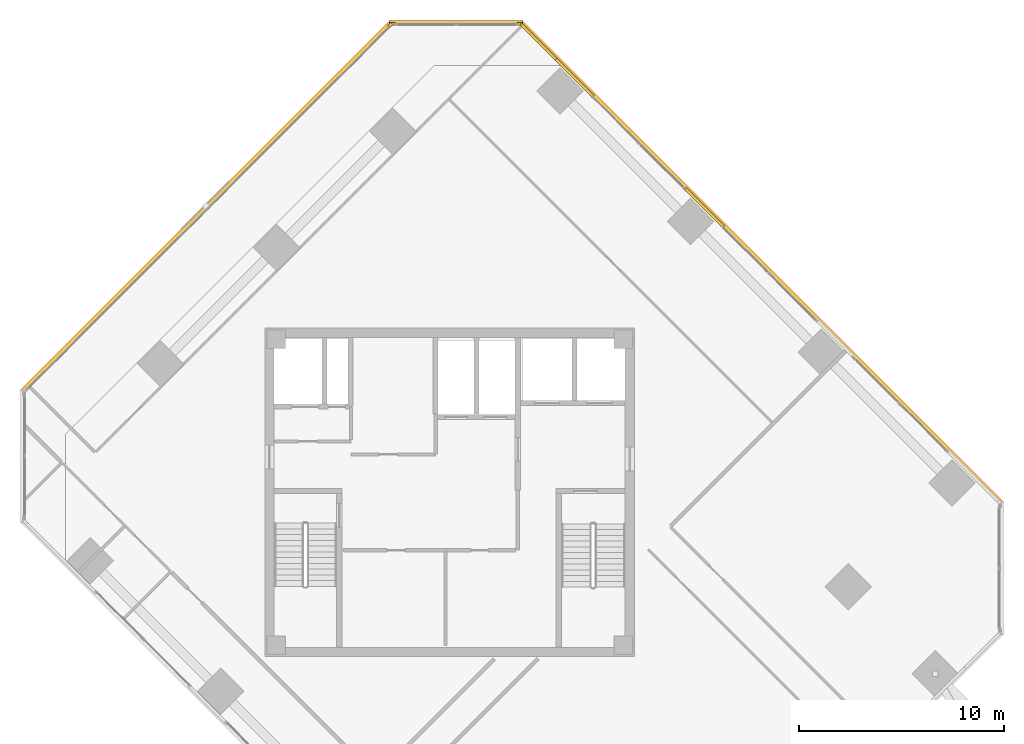
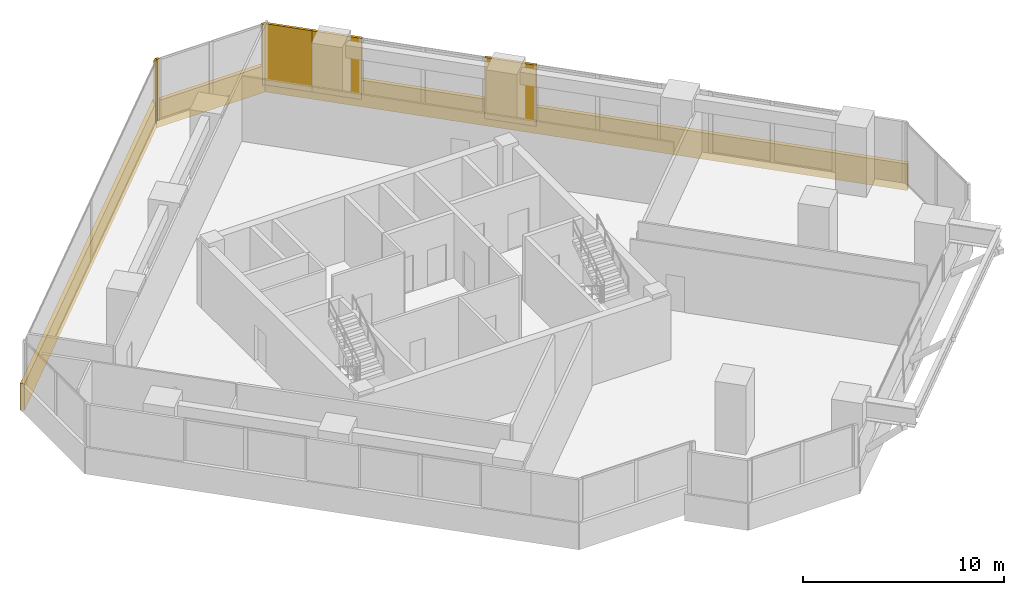
# One storey, part 17 of 17: 9 coverings.
"""IFC4 building model written with IfcOpenShell, lengths in metres."""

from ifc_helpers import new_model, si_unit, direction, frame, origin, origin_2d, place, context, subcontext, project, spatial, rectangle, extrude, source, transform, mapped, material, layer, layer_set, type_object, element, save


model = new_model("IFC4")

# Units and contexts
model_context = context("Model", 3, precision=1e-05, world=origin(), true_north=direction((0.0, 1.0)))
body_context = subcontext(model_context, "Body", "Model", "MODEL_VIEW")
ifc_project = project(units=[si_unit("LENGTHUNIT", "METRE"), si_unit("AREAUNIT", "SQUARE_METRE"), si_unit("VOLUMEUNIT", "CUBIC_METRE"), si_unit("PLANEANGLEUNIT", "RADIAN"), si_unit("MASSUNIT", "GRAM", prefix="KILO")], contexts=[model_context])

# Site, building, storey
site_placement = place(None, origin())
site = spatial("IfcSite", under=ifc_project, at=site_placement, CompositionType="ELEMENT")
building_placement = place(site_placement, origin())
building = spatial("IfcBuilding", under=site, at=building_placement, Name="Torre Montelarca", CompositionType="ELEMENT")
storey_placement = place(building_placement, frame((0.0, 0.0, 250.0)))
storey = spatial("IfcBuildingStorey", under=building, at=storey_placement, Name="L56", CompositionType="ELEMENT", Elevation=250.0)

# Coverings
ifc_material = material(Name="Bush-hammered warm white precast concrete C45/55", Category="concrete")
ifc_layer = layer(ifc_material, 0.139892578125, Name="Bush-hammered warm white precast concrete C45/55", Category="concrete")
ifc_layer_set = layer_set([ifc_layer], Name="Bush-hammered warm white precast concrete C45/55")
covering_type = type_object("IfcCoveringType", Name="COV-TRAY-CLAD", PredefinedType="CLADDING", material=ifc_layer_set)
shared_shape_1 = source(origin(), body_context, "Body", "SweptSolid", [
    extrude(rectangle(XDim=6.48388671875, YDim=0.219970703125, at=origin_2d()), origin(), (0.0, 0.0, 1.0), 1.6201171875),
])
covering_1_placement = place(storey_placement, frame((18.318115234375, 54.88037109375, -0.449951171875), z_axis=(0.0, 0.0, 1.0), x_axis=(-1.0, 0.0, 0.0)))
element("IfcCovering", 1, at=covering_1_placement, inside=storey, type_object=covering_type, Name="L56 Architectural White Spandrel Tray Band TRYBOT-09", PredefinedType="CLADDING", context=body_context, shape_type="MappedRepresentation", body=[
    mapped(shared_shape_1, transform((0.0, 0.0, 0.0), scale=1.0)),
])
shared_shape_2 = source(origin(), body_context, "Body", "SweptSolid", [
    extrude(rectangle(XDim=25.52001953125, YDim=0.219970703125, at=origin_2d()), origin(), (0.0, 0.0, 1.0), 1.6201171875),
])
covering_2_placement = place(storey_placement, frame((6.177001953125, 45.90869140625, -0.449951171875), z_axis=(0.0, 0.0, 1.0), x_axis=(-0.707104312914, -0.707109249451, 0.0)))
element("IfcCovering", 2, at=covering_2_placement, inside=storey, type_object=covering_type, Name="L56 Architectural White Spandrel Tray Band TRYBOT-10", PredefinedType="CLADDING", context=body_context, shape_type="MappedRepresentation", body=[
    mapped(shared_shape_2, transform((0.0, 0.0, 0.0), scale=1.0)),
])
shared_shape_3 = source(origin(), body_context, "Body", "SweptSolid", [
    extrude(rectangle(XDim=0.199951171875, YDim=0.139892578125, at=origin_2d()), origin(), (0.0, 0.0, 1.0), 3.719970703125),
])
for number, where, z_axis, x_axis, name in (
    (3, (21.38427734375, 54.8203125, 0.0), (0.0, 0.0, 1.0), (-1.0, 0.0, 0.0), "L56 Architectural Column Pier Cladding E09-1"),
    (4, (15.251708984375, 54.8203125, 0.0), (0.0, 0.0, 1.0), (-1.0, 0.0, 0.0), "L56 Architectural Column Pier Cladding E09-2"),
    (5, (15.11767578125, 54.7646484375, 0.0), (0.0, 0.0, 1.0), (-0.707104312914, -0.707109249451, 0.0), "L56 Architectural Column Pier Cladding E10-1"),
):
    element("IfcCovering", number, at=place(storey_placement, frame(where, z_axis=z_axis, x_axis=x_axis)), inside=storey, type_object=covering_type, Name=name, PredefinedType="CLADDING", context=body_context, shape_type="MappedRepresentation", body=[
        mapped(shared_shape_3, transform((0.0, 0.0, 0.0), scale=1.0)),
    ])
shared_shape_4 = source(origin(), body_context, "Body", "SweptSolid", [
    extrude(rectangle(XDim=33.219970703125, YDim=0.219970703125, at=origin_2d()), origin(), (0.0, 0.0, 1.0), 1.6201171875),
])
covering_3_placement = place(storey_placement, frame((33.181396484375, 43.186279296875, -0.449951171875), z_axis=(0.0, 0.0, 1.0), x_axis=(-0.707105547051, 0.70710801532, 0.0)))
element("IfcCovering", 6, at=covering_3_placement, inside=storey, type_object=covering_type, Name="L56 Architectural White Spandrel Tray Band TRYBOT-08", PredefinedType="CLADDING", context=body_context, shape_type="MappedRepresentation", body=[
    mapped(shared_shape_4, transform((0.0, 0.0, 0.0), scale=1.0)),
])
shared_shape_5 = source(origin(), body_context, "Body", "SweptSolid", [
    extrude(rectangle(XDim=2.659912109375, YDim=0.139892578125, at=origin_2d()), origin(), (0.0, 0.0, 1.0), 3.719970703125),
])
for number, where, z_axis, x_axis, name in (
    (7, (30.416748046875, 45.866455078125, 0.0), (0.0, 0.0, 1.0), (-0.707105547051, 0.70710801532, 0.0), "L56 Architectural Column Pier Cladding E08-4"),
    (8, (24.052734375, 52.23046875, 0.0), (0.0, 0.0, 1.0), (-0.707105547051, 0.70710801532, 0.0), "L56 Architectural Column Pier Cladding E08-5"),
):
    element("IfcCovering", number, at=place(storey_placement, frame(where, z_axis=z_axis, x_axis=x_axis)), inside=storey, type_object=covering_type, Name=name, PredefinedType="CLADDING", context=body_context, shape_type="MappedRepresentation", body=[
        mapped(shared_shape_5, transform((0.0, 0.0, 0.0), scale=1.0)),
    ])
shared_shape_6 = source(origin(), body_context, "Body", "SweptSolid", [
    extrude(rectangle(XDim=2.4541015625, YDim=0.139892578125, at=origin_2d()), origin(), (0.0, 0.0, 1.0), 3.719970703125),
])
covering_4_placement = place(storey_placement, frame((22.315185546875, 53.9677734375, 0.0), z_axis=(0.0, 0.0, 1.0), x_axis=(-0.707105547051, 0.70710801532, 0.0)))
element("IfcCovering", 9, at=covering_4_placement, inside=storey, type_object=covering_type, Name="L56 Architectural Column Pier Cladding E08-6", PredefinedType="CLADDING", context=body_context, shape_type="MappedRepresentation", body=[
    mapped(shared_shape_6, transform((0.0, 0.0, 0.0), scale=1.0)),
])

save(model, "model.ifc")
